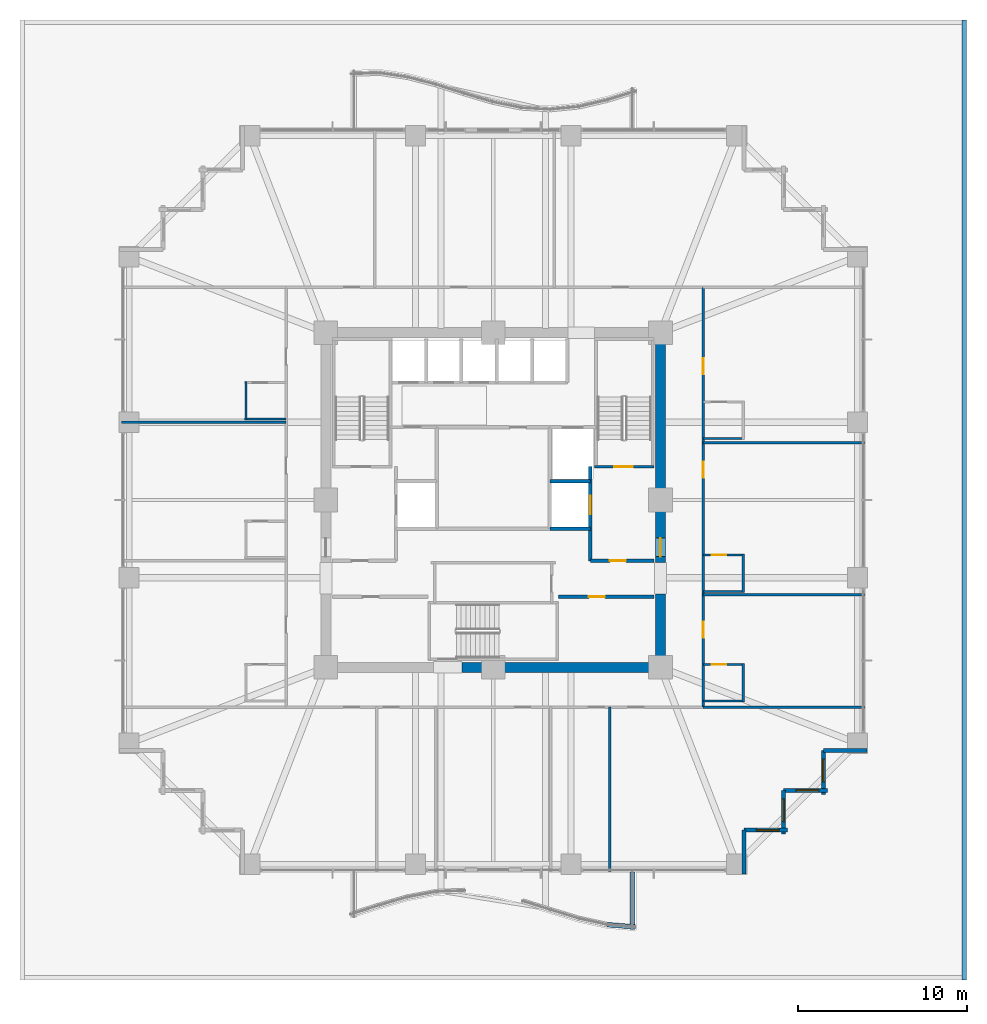
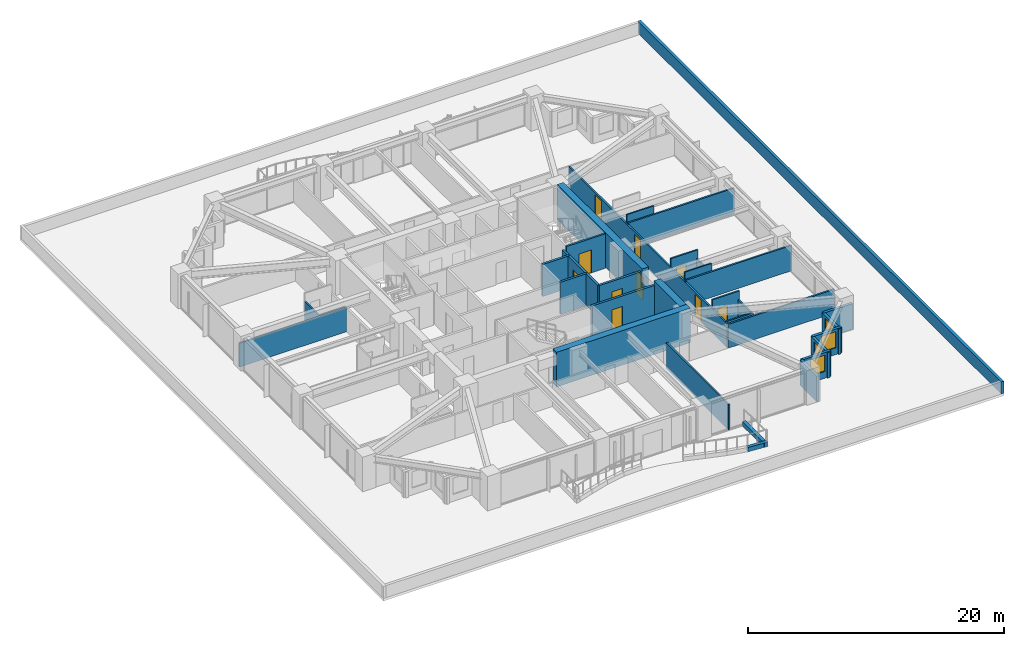
# One storey, part 32 of 36: 33 walls, 10 doors, 4 windows, 14 openings.
"""IFC4 building model written with IfcOpenShell, lengths in metres."""

from ifc_helpers import new_model, si_unit, direction, frame, frame_2d, origin, place, context, subcontext, project, spatial, rectangle, extrude, material, layer, layer_set, type_object, element, fill, save


model = new_model("IFC4")

# Units and contexts
model_context = context("Model", 3, precision=1e-05, world=origin(), true_north=direction((0.0, 1.0)))
body_context = subcontext(model_context, "Body", "Model", "MODEL_VIEW")
ifc_project = project(units=[si_unit("LENGTHUNIT", "METRE"), si_unit("AREAUNIT", "SQUARE_METRE"), si_unit("VOLUMEUNIT", "CUBIC_METRE"), si_unit("PLANEANGLEUNIT", "RADIAN"), si_unit("MASSUNIT", "GRAM", prefix="KILO")], contexts=[model_context])

# Site, building, storey
site_placement = place(None, origin())
site = spatial("IfcSite", under=ifc_project, at=site_placement, CompositionType="ELEMENT")
building_placement = place(site_placement, origin())
building = spatial("IfcBuilding", under=site, at=building_placement, Name="Kolvaren Belvedere", CompositionType="ELEMENT")
storey_placement = place(building_placement, frame((0.0, 0.0, 23.800048828125)))
storey = spatial("IfcBuildingStorey", under=building, at=storey_placement, Name="L06", CompositionType="ELEMENT", Elevation=23.800048828125)

# Walls
ifc_material_1 = material(Name="Concrete C60/75", Category="concrete")
ifc_layer_1 = layer(ifc_material_1, 0.60009765625)
ifc_layer_set_1 = layer_set([ifc_layer_1], Name="Concrete C60/75")
wall_type_1 = type_object("IfcWallType", Name="CW-CORE-600", PredefinedType="SHEAR", material=ifc_layer_set_1)
wall_1_placement = place(storey_placement, frame((10.199951171875, -9.89990234375, 0.0), z_axis=(0.0, 0.0, 1.0), x_axis=(-1.0, 0.0, 0.0)))
element("IfcWall", 1, at=wall_1_placement, inside=storey, type_object=wall_type_1, Name="L06 South Core Shear Wall 1", PredefinedType="SHEAR", context=body_context, shape_type="SweptSolid", body=[
    extrude(rectangle(XDim=12.06005859375, YDim=0.60009765625, at=frame_2d((6.030029296875, 0.0))), origin(), (0.0, 0.0, 1.0), 3.300048828125),
])
wall_2_placement = place(storey_placement, frame((9.89990234375, -9.60009765625, 0.0), z_axis=(0.0, 0.0, 1.0), x_axis=(0.0, 1.0, 0.0)))
element("IfcWall", 2, at=wall_2_placement, inside=storey, type_object=wall_type_1, Name="L06 East Core Shear Wall 1", PredefinedType="SHEAR", context=body_context, shape_type="SweptSolid", body=[
    extrude(rectangle(XDim=4.050048828125, YDim=0.60009765625, at=frame_2d((2.02490234375, 0.0))), origin(), (0.0, 0.0, 1.0), 3.300048828125),
])

# Wall, opening, door
wall_3_placement = place(storey_placement, frame((9.89990234375, -3.699951171875, 0.0), z_axis=(0.0, 0.0, 1.0), x_axis=(0.0, 1.0, 0.0)))
wall_3 = element("IfcWall", 3, at=wall_3_placement, inside=storey, type_object=wall_type_1, Name="L06 East Core Shear Wall 2", PredefinedType="SHEAR", context=body_context, shape_type="SweptSolid", body=[
    extrude(rectangle(XDim=13.300048828125, YDim=0.60009765625, at=frame_2d((6.64990234375, 0.0))), origin(), (0.0, 0.0, 1.0), 3.300048828125),
])
opening_1_placement = place(wall_3_placement, frame((0.35009765625, 0.0, 0.0)))
opening_1 = element("IfcOpeningElement", 4, at=opening_1_placement, cuts=wall_3, Name="Opening D-FD90", PredefinedType="OPENING", context=body_context, shape_type="SweptSolid", body=[
    extrude(rectangle(XDim=1.10009765625, YDim=2.199951171875, at=frame_2d((0.550048828125, 1.10009765625))), frame((0.0, 0.31005859375, 0.0), z_axis=(0.0, -1.0, 0.0), x_axis=(1.0, 0.0, 0.0)), (0.0, 0.0, 1.0), 0.6201171875),
])
ifc_material_2 = material(Name="Painted hollow stainless steel", Category="steel")
door_type_1 = type_object("IfcDoorType", Name="DR-FD90-1100", OperationType="NOTDEFINED", PredefinedType="DOOR", material=ifc_material_2)
door_1_placement = place(opening_1_placement, origin())
door_1 = element("IfcDoor", 5, at=door_1_placement, inside=storey, type_object=door_type_1, Name="L06 East Firefighting Lobby Fire Door", OperationType="SINGLE_SWING_RIGHT", OverallHeight=2.199951171875, OverallWidth=1.10009765625, PredefinedType="DOOR", context=body_context, shape_type="SweptSolid", body=[
    extrude(rectangle(XDim=1.10009765625, YDim=2.199951171875, at=frame_2d((0.550048828125, 1.10009765625))), frame((0.0, 0.02490234375, 0.0), z_axis=(0.0, -1.0, 0.0), x_axis=(1.0, 0.0, 0.0)), (0.0, 0.0, 1.0), 0.050048828125),
])
fill(opening_1, door_1)

ifc_material_3 = material(Name="Concrete C50/60", Category="concrete")
ifc_layer_2 = layer(ifc_material_3, 0.159912109375)
ifc_layer_set_2 = layer_set([ifc_layer_2], Name="Concrete C50/60")
wall_type_2 = type_object("IfcWallType", Name="CW-STAIR-160", PredefinedType="SHEAR", material=ifc_layer_set_2)
wall_4_placement = place(storey_placement, frame((6.0, 1.969970703125, 0.0), z_axis=(0.0, 0.0, 1.0), x_axis=(1.0, 0.0, 0.0)))
wall_4 = element("IfcWall", 6, at=wall_4_placement, inside=storey, type_object=wall_type_2, Name="L06 Stair ST-2 South Shear Wall", PredefinedType="SHEAR", context=body_context, shape_type="SweptSolid", body=[
    extrude(rectangle(XDim=3.52001953125, YDim=0.159912109375, at=frame_2d((1.760009765625, 0.0))), origin(), (0.0, 0.0, 1.0), 3.300048828125),
])
opening_2_placement = place(wall_4_placement, frame((1.14990234375, 0.0, 0.0)))
opening_2 = element("IfcOpeningElement", 7, at=opening_2_placement, cuts=wall_4, Name="Opening D-FD90", PredefinedType="OPENING", context=body_context, shape_type="SweptSolid", body=[
    extrude(rectangle(XDim=1.10009765625, YDim=2.199951171875, at=frame_2d((0.550048828125, 1.10009765625))), frame((0.0, 0.08984375, 0.0), z_axis=(0.0, -1.0, 0.0), x_axis=(1.0, 0.0, 0.0)), (0.0, 0.0, 1.0), 0.179931640625),
])
door_2_placement = place(opening_2_placement, origin())
door_2 = element("IfcDoor", 8, at=door_2_placement, inside=storey, type_object=door_type_1, Name="L06 Stair ST-2 Fire Door", OperationType="SINGLE_SWING_RIGHT", OverallHeight=2.199951171875, OverallWidth=1.10009765625, PredefinedType="DOOR", context=body_context, shape_type="SweptSolid", body=[
    extrude(rectangle(XDim=1.10009765625, YDim=2.199951171875, at=frame_2d((0.550048828125, 1.10009765625))), frame((0.0, 0.02490234375, 0.0), z_axis=(0.0, -1.0, 0.0), x_axis=(1.0, 0.0, 0.0)), (0.0, 0.0, 1.0), 0.050048828125),
])
fill(opening_2, door_2)

# Wall, openings, doors
ifc_material_4 = material(Name="Gypsum fire-rated partition assembly", Category="gypsum")
ifc_layer_3 = layer(ifc_material_4, 0.14990234375)
ifc_layer_set_3 = layer_set([ifc_layer_3], Name="Gypsum fire-rated partition assembly")
wall_type_3 = type_object("IfcWallType", Name="WL-CORR-150", PredefinedType="PARTITIONING", material=ifc_layer_set_3)
wall_5_placement = place(storey_placement, frame((12.419921875, -12.260009765625, 0.0), z_axis=(0.0, 0.0, 1.0), x_axis=(0.0, 1.0, 0.0)))
wall_5 = element("IfcWall", 9, at=wall_5_placement, inside=storey, type_object=wall_type_3, Name="L06 East Corridor Wall", PredefinedType="PARTITIONING", context=body_context, shape_type="SweptSolid", body=[
    extrude(rectangle(XDim=24.840087890625, YDim=0.14990234375, at=frame_2d((12.419921875, 0.0))), origin(), (0.0, 0.0, 1.0), 2.27197265625),
])
opening_3_placement = place(wall_5_placement, frame((4.098876953125, 0.0, 0.0)))
opening_3 = element("IfcOpeningElement", 10, at=opening_3_placement, cuts=wall_5, Name="Opening D-FD60", PredefinedType="OPENING", context=body_context, shape_type="SweptSolid", body=[
    extrude(rectangle(XDim=0.949951171875, YDim=2.06005859375, at=frame_2d((0.47509765625, 1.030029296875))), frame((0.0, 0.0849609375, 0.0), z_axis=(0.0, -1.0, 0.0), x_axis=(1.0, 0.0, 0.0)), (0.0, 0.0, 1.0), 0.169921875),
])
opening_4_placement = place(wall_5_placement, frame((13.576904296875, 0.0, 0.0)))
opening_4 = element("IfcOpeningElement", 11, at=opening_4_placement, cuts=wall_5, Name="Opening D-FD60", PredefinedType="OPENING", context=body_context, shape_type="SweptSolid", body=[
    extrude(rectangle(XDim=0.949951171875, YDim=2.06005859375, at=frame_2d((0.47509765625, 1.030029296875))), frame((0.0, 0.0849609375, 0.0), z_axis=(0.0, -1.0, 0.0), x_axis=(1.0, 0.0, 0.0)), (0.0, 0.0, 1.0), 0.169921875),
])
opening_5_placement = place(wall_5_placement, frame((19.69189453125, 0.0, 0.0)))
opening_5 = element("IfcOpeningElement", 12, at=opening_5_placement, cuts=wall_5, Name="Opening D-FD60", PredefinedType="OPENING", context=body_context, shape_type="SweptSolid", body=[
    extrude(rectangle(XDim=0.949951171875, YDim=2.06005859375, at=frame_2d((0.47509765625, 1.030029296875))), frame((0.0, 0.0849609375, 0.0), z_axis=(0.0, -1.0, 0.0), x_axis=(1.0, 0.0, 0.0)), (0.0, 0.0, 1.0), 0.169921875),
])
ifc_material_5 = material(Name="Acoustic white-oak fire door leaf", Category="timber")
door_type_2 = type_object("IfcDoorType", Name="DR-FD60-950", OperationType="NOTDEFINED", PredefinedType="DOOR", material=ifc_material_5)
door_3_placement = place(opening_3_placement, origin())
door_3 = element("IfcDoor", 13, at=door_3_placement, inside=storey, type_object=door_type_2, Name="L06 Panoramic Corner Hospitality Suite 606 Entry Door", OperationType="SINGLE_SWING_LEFT", OverallHeight=2.06005859375, OverallWidth=0.949951171875, PredefinedType="DOOR", context=body_context, shape_type="SweptSolid", body=[
    extrude(rectangle(XDim=0.949951171875, YDim=2.06005859375, at=frame_2d((0.47509765625, 1.030029296875))), frame((0.0, 0.02490234375, 0.0), z_axis=(0.0, -1.0, 0.0), x_axis=(1.0, 0.0, 0.0)), (0.0, 0.0, 1.0), 0.050048828125),
])
fill(opening_3, door_3)
door_4_placement = place(opening_4_placement, origin())
door_4 = element("IfcDoor", 14, at=door_4_placement, inside=storey, type_object=door_type_2, Name="L06 Panoramic Corner Hospitality Suite 607 Entry Door", OperationType="SINGLE_SWING_LEFT", OverallHeight=2.06005859375, OverallWidth=0.949951171875, PredefinedType="DOOR", context=body_context, shape_type="SweptSolid", body=[
    extrude(rectangle(XDim=0.949951171875, YDim=2.06005859375, at=frame_2d((0.47509765625, 1.030029296875))), frame((0.0, 0.02490234375, 0.0), z_axis=(0.0, -1.0, 0.0), x_axis=(1.0, 0.0, 0.0)), (0.0, 0.0, 1.0), 0.050048828125),
])
fill(opening_4, door_4)
door_5_placement = place(opening_5_placement, origin())
door_5 = element("IfcDoor", 15, at=door_5_placement, inside=storey, type_object=door_type_2, Name="L06 Panoramic Corner Hospitality Suite 608 Entry Door", OperationType="SINGLE_SWING_LEFT", OverallHeight=2.06005859375, OverallWidth=0.949951171875, PredefinedType="DOOR", context=body_context, shape_type="SweptSolid", body=[
    extrude(rectangle(XDim=0.949951171875, YDim=2.06005859375, at=frame_2d((0.47509765625, 1.030029296875))), frame((0.0, 0.02490234375, 0.0), z_axis=(0.0, -1.0, 0.0), x_axis=(1.0, 0.0, 0.0)), (0.0, 0.0, 1.0), 0.050048828125),
])
fill(opening_5, door_5)

# Wall
ifc_material_6 = material(Name="Insulated pale-metal facade wall assembly", Category="aluminium")
ifc_layer_4 = layer(ifc_material_6, 0.239990234375)
ifc_layer_set_4 = layer_set([ifc_layer_4], Name="Insulated pale-metal facade wall assembly")
wall_type_4 = type_object("IfcWallType", Name="WL-EXT-240", PredefinedType="STANDARD", material=ifc_layer_set_4)
wall_6_placement = place(storey_placement, frame((14.830078125, -19.530029296875, 0.0), z_axis=(0.0, 0.0, 1.0), x_axis=(0.0, -1.0, 0.0)))
element("IfcWall", 16, at=wall_6_placement, inside=storey, type_object=wall_type_4, Name="L06 Serrated Corner Facade Wall 2", PredefinedType="STANDARD", context=body_context, shape_type="SweptSolid", body=[
    extrude(rectangle(XDim=2.590087890625, YDim=0.239990234375, at=frame_2d((1.294921875, 0.0))), origin(), (0.0, 0.0, 1.0), 2.43896484375),
])

# Wall, opening, window
wall_7_placement = place(storey_placement, frame((17.419921875, -19.530029296875, 0.0), z_axis=(0.0, 0.0, 1.0), x_axis=(-1.0, 0.0, 0.0)))
wall_7 = element("IfcWall", 17, at=wall_7_placement, inside=storey, type_object=wall_type_4, Name="L06 Serrated Corner Facade Wall 3", PredefinedType="STANDARD", context=body_context, shape_type="SweptSolid", body=[
    extrude(rectangle(XDim=2.58984375, YDim=0.239990234375, at=frame_2d((1.294921875, 0.0))), origin(), (0.0, 0.0, 1.0), 2.43896484375),
])
opening_6_placement = place(wall_7_placement, frame((0.5, 0.0, 0.64990234375)))
opening_6 = element("IfcOpeningElement", 18, at=opening_6_placement, cuts=wall_7, Name="Opening W-1350", PredefinedType="OPENING", context=body_context, shape_type="SweptSolid", body=[
    extrude(rectangle(XDim=1.35009765625, YDim=1.550048828125, at=frame_2d((0.675048828125, 0.77490234375))), frame((0.0, 0.1298828125, 0.0), z_axis=(0.0, -1.0, 0.0), x_axis=(1.0, 0.0, 0.0)), (0.0, 0.0, 1.0), 0.260009765625),
])
ifc_material_7 = material(Name="Low-iron triple insulated glass", Category="glass")
window_type = type_object("IfcWindowType", Name="WN-CORN-1350", PartitioningType="SINGLE_PANEL", PredefinedType="WINDOW", material=ifc_material_7)
window_1_placement = place(opening_6_placement, origin())
window_1 = element("IfcWindow", 19, at=window_1_placement, inside=storey, type_object=window_type, Name="L06 Serrated Corner Vision Window 3", OverallHeight=1.550048828125, OverallWidth=1.35009765625, PartitioningType="SINGLE_PANEL", PredefinedType="WINDOW", context=body_context, shape_type="SweptSolid", body=[
    extrude(rectangle(XDim=1.35009765625, YDim=1.550048828125, at=frame_2d((0.675048828125, 0.77490234375))), frame((0.0, 0.030029296875, 0.0), z_axis=(0.0, -1.0, 0.0), x_axis=(1.0, 0.0, 0.0)), (0.0, 0.0, 1.0), 0.06005859375),
])
fill(opening_6, window_1)

wall_8_placement = place(storey_placement, frame((17.179931640625, -17.179931640625, 0.0), z_axis=(0.0, 0.0, 1.0), x_axis=(0.0, -1.0, 0.0)))
wall_8 = element("IfcWall", 20, at=wall_8_placement, inside=storey, type_object=wall_type_4, Name="L06 Serrated Corner Facade Wall 4", PredefinedType="STANDARD", context=body_context, shape_type="SweptSolid", body=[
    extrude(rectangle(XDim=2.590087890625, YDim=0.239990234375, at=frame_2d((1.294921875, 0.0))), origin(), (0.0, 0.0, 1.0), 2.43896484375),
])
opening_7_placement = place(wall_8_placement, frame((0.5, 0.0, 0.64990234375)))
opening_7 = element("IfcOpeningElement", 21, at=opening_7_placement, cuts=wall_8, Name="Opening W-1350", PredefinedType="OPENING", context=body_context, shape_type="SweptSolid", body=[
    extrude(rectangle(XDim=1.35009765625, YDim=1.550048828125, at=frame_2d((0.675048828125, 0.77490234375))), frame((0.0, 0.1298828125, 0.0), z_axis=(0.0, -1.0, 0.0), x_axis=(1.0, 0.0, 0.0)), (0.0, 0.0, 1.0), 0.260009765625),
])
window_2_placement = place(opening_7_placement, origin())
window_2 = element("IfcWindow", 22, at=window_2_placement, inside=storey, type_object=window_type, Name="L06 Serrated Corner Vision Window 4", OverallHeight=1.550048828125, OverallWidth=1.35009765625, PartitioningType="SINGLE_PANEL", PredefinedType="WINDOW", context=body_context, shape_type="SweptSolid", body=[
    extrude(rectangle(XDim=1.35009765625, YDim=1.550048828125, at=frame_2d((0.675048828125, 0.77490234375))), frame((0.0, 0.030029296875, 0.0), z_axis=(0.0, -1.0, 0.0), x_axis=(1.0, 0.0, 0.0)), (0.0, 0.0, 1.0), 0.06005859375),
])
fill(opening_7, window_2)

wall_9_placement = place(storey_placement, frame((19.77001953125, -17.179931640625, 0.0), z_axis=(0.0, 0.0, 1.0), x_axis=(-1.0, 0.0, 0.0)))
wall_9 = element("IfcWall", 23, at=wall_9_placement, inside=storey, type_object=wall_type_4, Name="L06 Serrated Corner Facade Wall 5", PredefinedType="STANDARD", context=body_context, shape_type="SweptSolid", body=[
    extrude(rectangle(XDim=2.590087890625, YDim=0.239990234375, at=frame_2d((1.294921875, 0.0))), origin(), (0.0, 0.0, 1.0), 2.43896484375),
])
opening_8_placement = place(wall_9_placement, frame((0.5, 0.0, 0.64990234375)))
opening_8 = element("IfcOpeningElement", 24, at=opening_8_placement, cuts=wall_9, Name="Opening W-1350", PredefinedType="OPENING", context=body_context, shape_type="SweptSolid", body=[
    extrude(rectangle(XDim=1.35009765625, YDim=1.550048828125, at=frame_2d((0.675048828125, 0.77490234375))), frame((0.0, 0.1298828125, 0.0), z_axis=(0.0, -1.0, 0.0), x_axis=(1.0, 0.0, 0.0)), (0.0, 0.0, 1.0), 0.260009765625),
])
window_3_placement = place(opening_8_placement, origin())
window_3 = element("IfcWindow", 25, at=window_3_placement, inside=storey, type_object=window_type, Name="L06 Serrated Corner Vision Window 5", OverallHeight=1.550048828125, OverallWidth=1.35009765625, PartitioningType="SINGLE_PANEL", PredefinedType="WINDOW", context=body_context, shape_type="SweptSolid", body=[
    extrude(rectangle(XDim=1.35009765625, YDim=1.550048828125, at=frame_2d((0.675048828125, 0.77490234375))), frame((0.0, 0.030029296875, 0.0), z_axis=(0.0, -1.0, 0.0), x_axis=(1.0, 0.0, 0.0)), (0.0, 0.0, 1.0), 0.06005859375),
])
fill(opening_8, window_3)

wall_10_placement = place(storey_placement, frame((19.530029296875, -14.830078125, 0.0), z_axis=(0.0, 0.0, 1.0), x_axis=(0.0, -1.0, 0.0)))
wall_10 = element("IfcWall", 26, at=wall_10_placement, inside=storey, type_object=wall_type_4, Name="L06 Serrated Corner Facade Wall 6", PredefinedType="STANDARD", context=body_context, shape_type="SweptSolid", body=[
    extrude(rectangle(XDim=2.58984375, YDim=0.239990234375, at=frame_2d((1.294921875, 0.0))), origin(), (0.0, 0.0, 1.0), 2.43896484375),
])
opening_9_placement = place(wall_10_placement, frame((0.5, 0.0, 0.64990234375)))
opening_9 = element("IfcOpeningElement", 27, at=opening_9_placement, cuts=wall_10, Name="Opening W-1350", PredefinedType="OPENING", context=body_context, shape_type="SweptSolid", body=[
    extrude(rectangle(XDim=1.35009765625, YDim=1.550048828125, at=frame_2d((0.675048828125, 0.77490234375))), frame((0.0, 0.1298828125, 0.0), z_axis=(0.0, -1.0, 0.0), x_axis=(1.0, 0.0, 0.0)), (0.0, 0.0, 1.0), 0.260009765625),
])
window_4_placement = place(opening_9_placement, origin())
window_4 = element("IfcWindow", 28, at=window_4_placement, inside=storey, type_object=window_type, Name="L06 Serrated Corner Vision Window 6", OverallHeight=1.550048828125, OverallWidth=1.35009765625, PartitioningType="SINGLE_PANEL", PredefinedType="WINDOW", context=body_context, shape_type="SweptSolid", body=[
    extrude(rectangle(XDim=1.35009765625, YDim=1.550048828125, at=frame_2d((0.675048828125, 0.77490234375))), frame((0.0, 0.030029296875, 0.0), z_axis=(0.0, -1.0, 0.0), x_axis=(1.0, 0.0, 0.0)), (0.0, 0.0, 1.0), 0.06005859375),
])
fill(opening_9, window_4)

# Walls
wall_11_placement = place(storey_placement, frame((22.1201171875, -14.830078125, 0.0), z_axis=(0.0, 0.0, 1.0), x_axis=(-1.0, 0.0, 0.0)))
element("IfcWall", 29, at=wall_11_placement, inside=storey, type_object=wall_type_4, Name="L06 Serrated Corner Facade Wall 7", PredefinedType="STANDARD", context=body_context, shape_type="SweptSolid", body=[
    extrude(rectangle(XDim=2.590087890625, YDim=0.239990234375, at=frame_2d((1.294921875, 0.0))), origin(), (0.0, 0.0, 1.0), 2.43896484375),
])
ifc_material_8 = material(Name="Precast concrete C40/50", Category="concrete")
ifc_layer_5 = layer(ifc_material_8, 0.25)
ifc_layer_set_5 = layer_set([ifc_layer_5], Name="Precast concrete C40/50")
wall_type_5 = type_object("IfcWallType", Name="WL-PARAPET-250", PredefinedType="PARAPET", material=ifc_layer_set_5)
wall_12_placement = place(storey_placement, frame((27.8701171875, 28.39990234375, 0.0), z_axis=(0.0, 0.0, 1.0), x_axis=(0.0, -1.0, 0.0)))
element("IfcWall", 30, at=wall_12_placement, inside=storey, type_object=wall_type_5, Name="L06 Podium Setback Roof Parapet 2", PredefinedType="PARAPET", context=body_context, shape_type="SweptSolid", body=[
    extrude(rectangle(XDim=56.7998046875, YDim=0.25, at=frame_2d((28.39990234375, 0.0))), origin(), (0.0, 0.0, 1.0), 1.14990234375),
])
ifc_material_9 = material(Name="Gypsum acoustic partition assembly", Category="gypsum")
ifc_layer_6 = layer(ifc_material_9, 0.14990234375)
ifc_layer_set_6 = layer_set([ifc_layer_6], Name="Gypsum acoustic partition assembly")
wall_type_6 = type_object("IfcWallType", Name="WL-PART-150", PredefinedType="PARTITIONING", material=ifc_layer_set_6)
wall_13_placement = place(storey_placement, frame((12.419921875, -12.260009765625, 0.0), z_axis=(0.0, 0.0, 1.0), x_axis=(1.0, 0.0, 0.0)))
element("IfcWall", 31, at=wall_13_placement, inside=storey, type_object=wall_type_6, Name="L06 Wing Divider PW-L06-QSE", PredefinedType="PARTITIONING", context=body_context, shape_type="SweptSolid", body=[
    extrude(rectangle(XDim=9.56005859375, YDim=0.14990234375, at=frame_2d((4.780029296875, 0.0))), origin(), (0.0, 0.0, 1.0), 2.27197265625),
])
wall_14_placement = place(storey_placement, frame((6.89990234375, -21.97998046875, 0.0), z_axis=(0.0, 0.0, 1.0), x_axis=(0.0, 1.0, 0.0)))
element("IfcWall", 32, at=wall_14_placement, inside=storey, type_object=wall_type_6, Name="L06 South Suite Demising Wall 4", PredefinedType="PARTITIONING", context=body_context, shape_type="SweptSolid", body=[
    extrude(rectangle(XDim=9.719970703125, YDim=0.14990234375, at=frame_2d((4.85986328125, 0.0))), origin(), (0.0, 0.0, 1.0), 2.428955078125),
])
for number, where, z_axis, x_axis, name in (
    (33, (12.419921875, -5.60009765625, 0.0), (0.0, 0.0, 1.0), (1.0, 0.0, 0.0), "L06 East Suite Demising Wall 1"),
    (34, (12.419921875, 3.39990234375, 0.0), (0.0, 0.0, 1.0), (1.0, 0.0, 0.0), "L06 East Suite Demising Wall 2"),
):
    element("IfcWall", number, at=place(storey_placement, frame(where, z_axis=z_axis, x_axis=x_axis)), inside=storey, type_object=wall_type_6, Name=name, PredefinedType="PARTITIONING", context=body_context, shape_type="SweptSolid", body=[
        extrude(rectangle(XDim=9.56005859375, YDim=0.14990234375, at=frame_2d((4.780029296875, 0.0))), origin(), (0.0, 0.0, 1.0), 2.428955078125),
    ])
wall_15_placement = place(storey_placement, frame((-21.97998046875, 4.60009765625, 0.0), z_axis=(0.0, 0.0, 1.0), x_axis=(1.0, 0.0, 0.0)))
element("IfcWall", 35, at=wall_15_placement, inside=storey, type_object=wall_type_6, Name="L06 West Suite Demising Wall 2", PredefinedType="PARTITIONING", context=body_context, shape_type="SweptSolid", body=[
    extrude(rectangle(XDim=9.719970703125, YDim=0.14990234375, at=frame_2d((4.85986328125, 0.0))), origin(), (0.0, 0.0, 1.0), 2.27197265625),
])
ifc_material_10 = material(Name="Precast concrete C40/50", Category="concrete")
ifc_layer_7 = layer(ifc_material_10, 0.300048828125)
ifc_layer_set_7 = layer_set([ifc_layer_7], Name="Precast concrete C40/50")
wall_type_7 = type_object("IfcWallType", Name="WL-PLANTER-300", PredefinedType="PARAPET", material=ifc_layer_set_7)
wall_16_placement = place(storey_placement, frame((6.732666015625, -25.126953125, -0.06005859375), z_axis=(0.0, 0.0, 1.0), x_axis=(0.99685522818, -0.079244268248, 0.0)))
element("IfcWall", 36, at=wall_16_placement, inside=storey, type_object=wall_type_7, Name="L06 Precast Structural Planter Wall BAL-S-10", PredefinedType="PARAPET", context=body_context, shape_type="SweptSolid", body=[
    extrude(rectangle(XDim=1.685302734375, YDim=0.280029296875, at=frame_2d((0.8427734375, 0.0))), origin(), (0.0, 0.0, 1.0), 0.419921875),
])
wall_17_placement = place(storey_placement, frame((8.239990234375, -25.419921875, -0.06005859375), z_axis=(0.0, 0.0, 1.0), x_axis=(0.0, 1.0, 0.0)))
element("IfcWall", 37, at=wall_17_placement, inside=storey, type_object=wall_type_7, Name="L06 Precast Structural Planter Wall BAL-S-11", PredefinedType="PARAPET", context=body_context, shape_type="SweptSolid", body=[
    extrude(rectangle(XDim=3.419921875, YDim=0.280029296875, at=frame_2d((1.7099609375, 0.0))), origin(), (0.0, 0.0, 1.0), 0.419921875),
])

# Wall, opening, door
ifc_material_11 = material(Name="Concrete C50/60", Category="concrete")
ifc_layer_8 = layer(ifc_material_11, 0.199951171875)
ifc_layer_set_8 = layer_set([ifc_layer_8], Name="Concrete C50/60")
wall_type_8 = type_object("IfcWallType", Name="WL-SHAFT-200", PredefinedType="SOLIDWALL", material=ifc_layer_set_8)
wall_18_placement = place(storey_placement, frame((5.75, -3.60009765625, 0.0), z_axis=(0.0, 0.0, 1.0), x_axis=(1.0, 0.0, 0.0)))
wall_18 = element("IfcWall", 38, at=wall_18_placement, inside=storey, type_object=wall_type_8, Name="L06 East FSAE Lobby South Wall", PredefinedType="SOLIDWALL", context=body_context, shape_type="SweptSolid", body=[
    extrude(rectangle(XDim=3.77001953125, YDim=0.199951171875, at=frame_2d((1.885009765625, 0.0))), origin(), (0.0, 0.0, 1.0), 3.06005859375),
])
opening_10_placement = place(wall_18_placement, frame((1.14990234375, 0.0, 0.0)))
opening_10 = element("IfcOpeningElement", 39, at=opening_10_placement, cuts=wall_18, Name="Opening D-FD60", PredefinedType="OPENING", context=body_context, shape_type="SweptSolid", body=[
    extrude(rectangle(XDim=0.949951171875, YDim=2.06005859375, at=frame_2d((0.47509765625, 1.030029296875))), frame((0.0, 0.10986328125, 0.0), z_axis=(0.0, -1.0, 0.0), x_axis=(1.0, 0.0, 0.0)), (0.0, 0.0, 1.0), 0.219970703125),
])
door_6_placement = place(opening_10_placement, origin())
door_6 = element("IfcDoor", 40, at=door_6_placement, inside=storey, type_object=door_type_2, Name="L06 SE Lift Lobby Fire Door", OperationType="SINGLE_SWING_RIGHT", OverallHeight=2.06005859375, OverallWidth=0.949951171875, PredefinedType="DOOR", context=body_context, shape_type="SweptSolid", body=[
    extrude(rectangle(XDim=0.949951171875, YDim=2.06005859375, at=frame_2d((0.47509765625, 1.030029296875))), frame((0.0, 0.02490234375, 0.0), z_axis=(0.0, -1.0, 0.0), x_axis=(1.0, 0.0, 0.0)), (0.0, 0.0, 1.0), 0.050048828125),
])
fill(opening_10, door_6)

wall_19_placement = place(storey_placement, frame((5.75, -3.60009765625, 0.0), z_axis=(0.0, 0.0, 1.0), x_axis=(0.0, 1.0, 0.0)))
wall_19 = element("IfcWall", 41, at=wall_19_placement, inside=storey, type_object=wall_type_8, Name="L06 FSAE FS2 Landing Wall", PredefinedType="SOLIDWALL", context=body_context, shape_type="SweptSolid", body=[
    extrude(rectangle(XDim=5.570068359375, YDim=0.199951171875, at=frame_2d((2.78515625, 0.0))), origin(), (0.0, 0.0, 1.0), 3.06005859375),
])
opening_11_placement = place(wall_19_placement, frame((2.75, 0.0, 0.0)))
opening_11 = element("IfcOpeningElement", 42, at=opening_11_placement, cuts=wall_19, Name="Opening LD-11", PredefinedType="OPENING", context=body_context, shape_type="SweptSolid", body=[
    extrude(rectangle(XDim=1.10009765625, YDim=2.199951171875, at=frame_2d((0.550048828125, 1.10009765625))), frame((0.0, 0.10986328125, 0.0), z_axis=(0.0, -1.0, 0.0), x_axis=(1.0, 0.0, 0.0)), (0.0, 0.0, 1.0), 0.219970703125),
])
ifc_material_12 = material(Name="Brushed stainless steel", Category="steel")
door_type_3 = type_object("IfcDoorType", Name="DR-LIFT-1100", OperationType="DOUBLE_DOOR_SLIDING", PredefinedType="DOOR", material=ifc_material_12)
door_7_placement = place(opening_11_placement, origin())
door_7 = element("IfcDoor", 43, at=door_7_placement, inside=storey, type_object=door_type_3, Name="L06 Firefighting Lift FS2 Landing Door", OperationType="DOUBLE_DOOR_SLIDING", OverallHeight=2.199951171875, OverallWidth=1.10009765625, PredefinedType="DOOR", context=body_context, shape_type="SweptSolid", body=[
    extrude(rectangle(XDim=1.10009765625, YDim=2.199951171875, at=frame_2d((0.550048828125, 1.10009765625))), frame((0.0, 0.02490234375, 0.0), z_axis=(0.0, -1.0, 0.0), x_axis=(1.0, 0.0, 0.0)), (0.0, 0.0, 1.0), 0.050048828125),
])
fill(opening_11, door_7)

# Walls
for number, where, z_axis, x_axis, name in (
    (44, (3.35009765625, -1.699951171875, 0.0), (0.0, 0.0, 1.0), (1.0, 0.0, 0.0), "L06 FSAE FS2 South Wall"),
    (45, (3.35009765625, 1.10009765625, 0.0), (0.0, 0.0, 1.0), (1.0, 0.0, 0.0), "L06 FSAE FS2 North Wall"),
):
    element("IfcWall", number, at=place(storey_placement, frame(where, z_axis=z_axis, x_axis=x_axis)), inside=storey, type_object=wall_type_8, Name=name, PredefinedType="SOLIDWALL", context=body_context, shape_type="SweptSolid", body=[
        extrude(rectangle(XDim=2.39990234375, YDim=0.199951171875, at=frame_2d((1.199951171875, 0.0))), origin(), (0.0, 0.0, 1.0), 3.06005859375),
    ])

# Wall, opening, door
wall_20_placement = place(storey_placement, frame((3.860107421875, -5.719970703125, 0.0), z_axis=(0.0, 0.0, 1.0), x_axis=(1.0, 0.0, 0.0)))
wall_20 = element("IfcWall", 46, at=wall_20_placement, inside=storey, type_object=wall_type_8, Name="L06 SE Core Distribution Wall", PredefinedType="SOLIDWALL", context=body_context, shape_type="SweptSolid", body=[
    extrude(rectangle(XDim=5.659912109375, YDim=0.199951171875, at=frame_2d((2.830078125, 0.0))), origin(), (0.0, 0.0, 1.0), 3.06005859375),
])
opening_12_placement = place(wall_20_placement, frame((1.800048828125, 0.0, 0.0)))
opening_12 = element("IfcOpeningElement", 47, at=opening_12_placement, cuts=wall_20, Name="Opening D-FD60", PredefinedType="OPENING", context=body_context, shape_type="SweptSolid", body=[
    extrude(rectangle(XDim=0.949951171875, YDim=2.06005859375, at=frame_2d((0.47509765625, 1.030029296875))), frame((0.0, 0.10986328125, 0.0), z_axis=(0.0, -1.0, 0.0), x_axis=(1.0, 0.0, 0.0)), (0.0, 0.0, 1.0), 0.219970703125),
])
door_8_placement = place(opening_12_placement, origin())
door_8 = element("IfcDoor", 48, at=door_8_placement, inside=storey, type_object=door_type_2, Name="L06 Core Electrical & BMS Room Door", OperationType="SINGLE_SWING_RIGHT", OverallHeight=2.06005859375, OverallWidth=0.949951171875, PredefinedType="DOOR", context=body_context, shape_type="SweptSolid", body=[
    extrude(rectangle(XDim=0.949951171875, YDim=2.06005859375, at=frame_2d((0.47509765625, 1.030029296875))), frame((0.0, 0.02490234375, 0.0), z_axis=(0.0, -1.0, 0.0), x_axis=(1.0, 0.0, 0.0)), (0.0, 0.0, 1.0), 0.050048828125),
])
fill(opening_12, door_8)

ifc_material_13 = material(Name="Moisture-resistant gypsum partition", Category="gypsum")
ifc_layer_9 = layer(ifc_material_13, 0.125)
ifc_layer_set_9 = layer_set([ifc_layer_9], Name="Moisture-resistant gypsum partition")
wall_type_9 = type_object("IfcWallType", Name="WL-WET-125", PredefinedType="PARTITIONING", material=ifc_layer_set_9)
wall_21_placement = place(storey_placement, frame((12.43505859375, -9.73095703125, 0.0), z_axis=(0.0, 0.0, 1.0), x_axis=(1.0, 0.0, 0.0)))
wall_21 = element("IfcWall", 49, at=wall_21_placement, inside=storey, type_object=wall_type_9, Name="L06 Bathroom Partition PW-L06-BTH-6-N", PredefinedType="PARTITIONING", context=body_context, shape_type="SweptSolid", body=[
    extrude(rectangle(XDim=2.43994140625, YDim=0.125, at=frame_2d((1.219970703125, 0.0))), origin(), (0.0, 0.0, 1.0), 3.06005859375),
])
opening_13_placement = place(wall_21_placement, frame((0.5, 0.0, 0.0)))
opening_13 = element("IfcOpeningElement", 50, at=opening_13_placement, cuts=wall_21, Name="Opening D-BTH85", PredefinedType="OPENING", context=body_context, shape_type="SweptSolid", body=[
    extrude(rectangle(XDim=0.85009765625, YDim=2.030029296875, at=frame_2d((0.425048828125, 1.01513671875))), frame((0.0, 0.072509765625, 0.0), z_axis=(0.0, -1.0, 0.0), x_axis=(1.0, 0.0, 0.0)), (0.0, 0.0, 1.0), 0.14501953125),
])
ifc_material_14 = material(Name="Moisture-sealed Pacific white oak", Category="timber")
door_type_4 = type_object("IfcDoorType", Name="DR-BATH-850", OperationType="NOTDEFINED", PredefinedType="DOOR", material=ifc_material_14)
door_9_placement = place(opening_13_placement, origin())
door_9 = element("IfcDoor", 51, at=door_9_placement, inside=storey, type_object=door_type_4, Name="L06 En-Suite Bathroom 606 Door", OperationType="SINGLE_SWING_RIGHT", OverallHeight=2.030029296875, OverallWidth=0.85009765625, PredefinedType="DOOR", context=body_context, shape_type="SweptSolid", body=[
    extrude(rectangle(XDim=0.85009765625, YDim=2.030029296875, at=frame_2d((0.425048828125, 1.01513671875))), frame((0.0, 0.02490234375, 0.0), z_axis=(0.0, -1.0, 0.0), x_axis=(1.0, 0.0, 0.0)), (0.0, 0.0, 1.0), 0.050048828125),
])
fill(opening_13, door_9)

# Walls
wall_22_placement = place(storey_placement, frame((14.794921875, -11.94091796875, 0.0), z_axis=(0.0, 0.0, 1.0), x_axis=(0.0, 1.0, 0.0)))
element("IfcWall", 52, at=wall_22_placement, inside=storey, type_object=wall_type_9, Name="L06 Bathroom Partition PW-L06-BTH-6-V", PredefinedType="PARTITIONING", context=body_context, shape_type="SweptSolid", body=[
    extrude(rectangle(XDim=2.27001953125, YDim=0.125, at=frame_2d((1.135009765625, 0.0))), origin(), (0.0, 0.0, 1.0), 2.27197265625),
])
wall_23_placement = place(storey_placement, frame((12.43505859375, -11.881103515625, 0.0), z_axis=(0.0, 0.0, 1.0), x_axis=(1.0, 0.0, 0.0)))
element("IfcWall", 53, at=wall_23_placement, inside=storey, type_object=wall_type_9, Name="L06 Bathroom Partition PW-L06-BTH-6-S", PredefinedType="PARTITIONING", context=body_context, shape_type="SweptSolid", body=[
    extrude(rectangle(XDim=2.43994140625, YDim=0.125, at=frame_2d((1.219970703125, 0.0))), origin(), (0.0, 0.0, 1.0), 2.27197265625),
])

# Wall, opening, door
wall_24_placement = place(storey_placement, frame((12.43505859375, -3.2548828125, 0.0), z_axis=(0.0, 0.0, 1.0), x_axis=(1.0, 0.0, 0.0)))
wall_24 = element("IfcWall", 54, at=wall_24_placement, inside=storey, type_object=wall_type_9, Name="L06 Bathroom Partition PW-L06-BTH-7-N", PredefinedType="PARTITIONING", context=body_context, shape_type="SweptSolid", body=[
    extrude(rectangle(XDim=2.43994140625, YDim=0.125, at=frame_2d((1.219970703125, 0.0))), origin(), (0.0, 0.0, 1.0), 3.06005859375),
])
opening_14_placement = place(wall_24_placement, frame((0.5, 0.0, 0.0)))
opening_14 = element("IfcOpeningElement", 55, at=opening_14_placement, cuts=wall_24, Name="Opening D-BTH85", PredefinedType="OPENING", context=body_context, shape_type="SweptSolid", body=[
    extrude(rectangle(XDim=0.85009765625, YDim=2.030029296875, at=frame_2d((0.425048828125, 1.01513671875))), frame((0.0, 0.072509765625, 0.0), z_axis=(0.0, -1.0, 0.0), x_axis=(1.0, 0.0, 0.0)), (0.0, 0.0, 1.0), 0.14501953125),
])
door_10_placement = place(opening_14_placement, origin())
door_10 = element("IfcDoor", 56, at=door_10_placement, inside=storey, type_object=door_type_4, Name="L06 En-Suite Bathroom 607 Door", OperationType="SINGLE_SWING_RIGHT", OverallHeight=2.030029296875, OverallWidth=0.85009765625, PredefinedType="DOOR", context=body_context, shape_type="SweptSolid", body=[
    extrude(rectangle(XDim=0.85009765625, YDim=2.030029296875, at=frame_2d((0.425048828125, 1.01513671875))), frame((0.0, 0.02490234375, 0.0), z_axis=(0.0, -1.0, 0.0), x_axis=(1.0, 0.0, 0.0)), (0.0, 0.0, 1.0), 0.050048828125),
])
fill(opening_14, door_10)

# Walls
wall_25_placement = place(storey_placement, frame((14.794921875, -5.465087890625, 0.0), z_axis=(0.0, 0.0, 1.0), x_axis=(0.0, 1.0, 0.0)))
element("IfcWall", 57, at=wall_25_placement, inside=storey, type_object=wall_type_9, Name="L06 Bathroom Partition PW-L06-BTH-7-V", PredefinedType="PARTITIONING", context=body_context, shape_type="SweptSolid", body=[
    extrude(rectangle(XDim=2.27001953125, YDim=0.125, at=frame_2d((1.135009765625, 0.0))), origin(), (0.0, 0.0, 1.0), 2.27197265625),
])
for number, where, z_axis, x_axis, name in (
    (58, (12.43505859375, -5.405029296875, 0.0), (0.0, 0.0, 1.0), (1.0, 0.0, 0.0), "L06 Bathroom Partition PW-L06-BTH-7-S"),
    (59, (12.43505859375, 3.64404296875, 0.0), (0.0, 0.0, 1.0), (1.0, 0.0, 0.0), "L06 Bathroom Partition PW-L06-BTH-8-S"),
):
    element("IfcWall", number, at=place(storey_placement, frame(where, z_axis=z_axis, x_axis=x_axis)), inside=storey, type_object=wall_type_9, Name=name, PredefinedType="PARTITIONING", context=body_context, shape_type="SweptSolid", body=[
        extrude(rectangle(XDim=2.43994140625, YDim=0.125, at=frame_2d((1.219970703125, 0.0))), origin(), (0.0, 0.0, 1.0), 3.06005859375),
    ])
wall_26_placement = place(storey_placement, frame((-14.635009765625, 4.735107421875, 0.0), z_axis=(0.0, 0.0, 1.0), x_axis=(0.0, 1.0, 0.0)))
element("IfcWall", 60, at=wall_26_placement, inside=storey, type_object=wall_type_9, Name="L06 Bathroom Partition PW-L06-BTH-11-V", PredefinedType="PARTITIONING", context=body_context, shape_type="SweptSolid", body=[
    extrude(rectangle(XDim=2.269775390625, YDim=0.125, at=frame_2d((1.134765625, 0.0))), origin(), (0.0, 0.0, 1.0), 2.27197265625),
])
wall_27_placement = place(storey_placement, frame((-14.715087890625, 4.794921875, 0.0), z_axis=(0.0, 0.0, 1.0), x_axis=(1.0, 0.0, 0.0)))
element("IfcWall", 61, at=wall_27_placement, inside=storey, type_object=wall_type_9, Name="L06 Bathroom Partition PW-L06-BTH-11-S", PredefinedType="PARTITIONING", context=body_context, shape_type="SweptSolid", body=[
    extrude(rectangle(XDim=2.440185546875, YDim=0.125, at=frame_2d((1.22021484375, 0.0))), origin(), (0.0, 0.0, 1.0), 2.27197265625),
])

save(model, "model.ifc")
